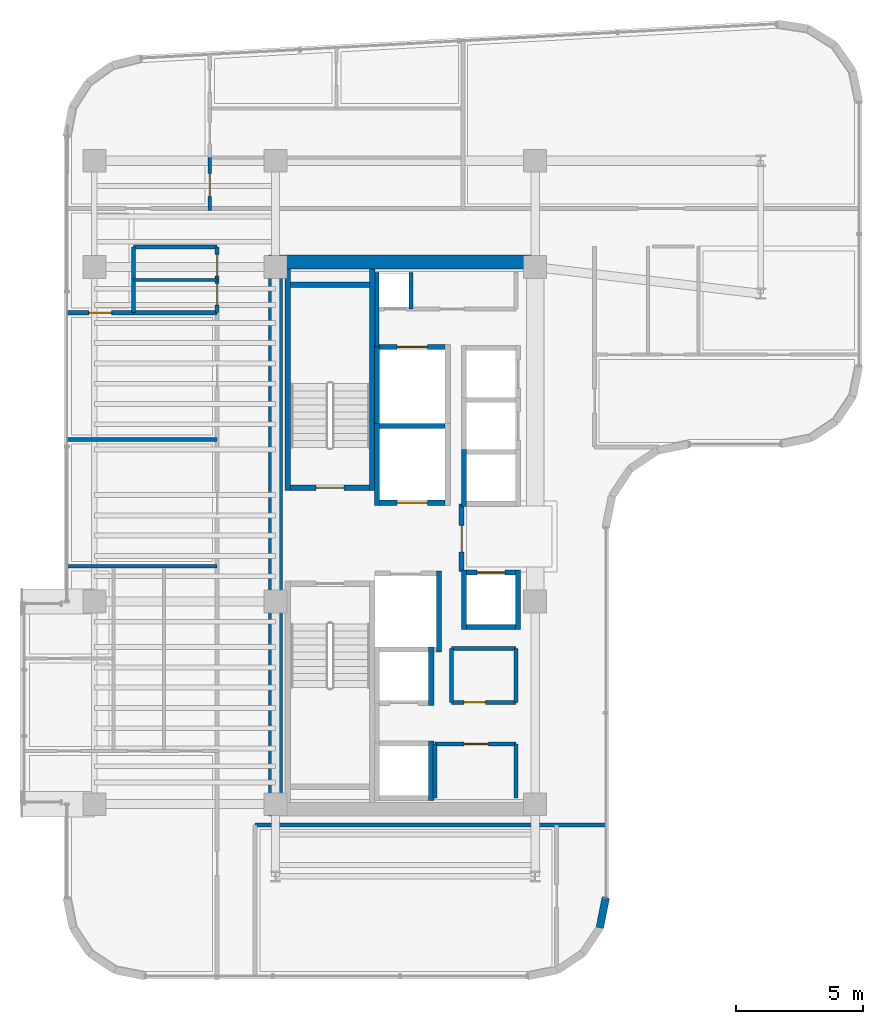
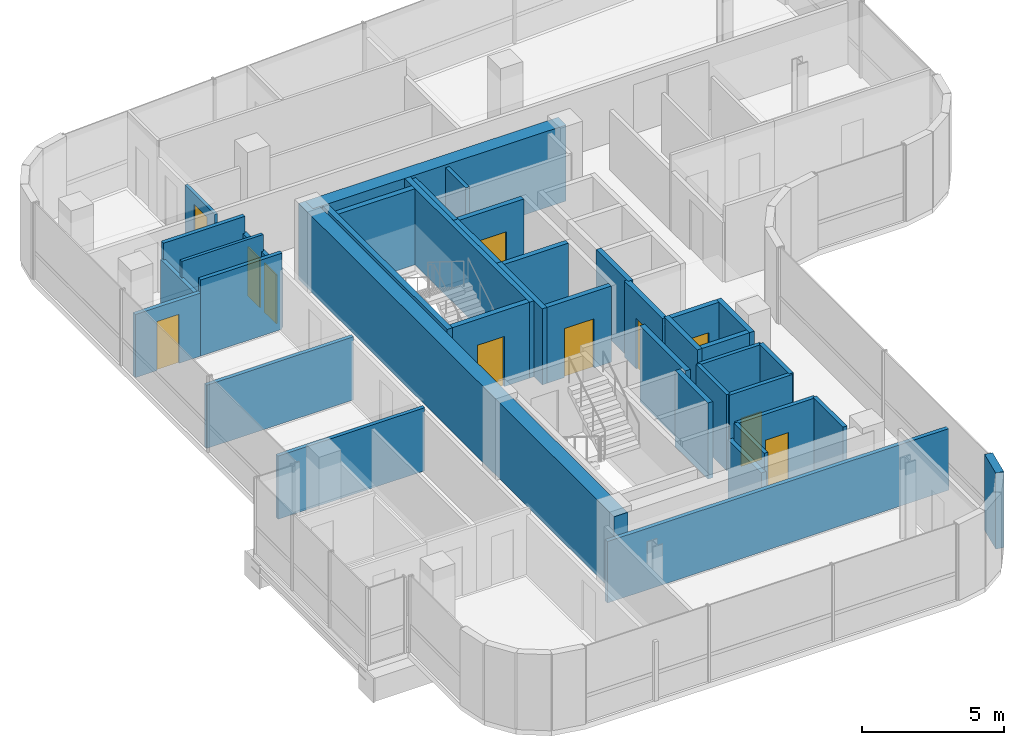
# One storey, part 19 of 24: 40 walls, 11 doors, 11 openings.
"""IFC4 building model written with IfcOpenShell, lengths in metres."""

from ifc_helpers import new_model, si_unit, direction, frame, frame_2d, origin, place, context, subcontext, project, spatial, rectangle, extrude, material, layer, layer_set, type_object, element, fill, save


model = new_model("IFC4")

# Units and contexts
model_context = context("Model", 3, precision=1e-05, world=origin(), true_north=direction((0.0, 1.0)))
body_context = subcontext(model_context, "Body", "Model", "MODEL_VIEW")
ifc_project = project(units=[si_unit("LENGTHUNIT", "METRE"), si_unit("AREAUNIT", "SQUARE_METRE"), si_unit("VOLUMEUNIT", "CUBIC_METRE"), si_unit("PLANEANGLEUNIT", "RADIAN"), si_unit("MASSUNIT", "GRAM", prefix="KILO")], contexts=[model_context])

# Site, building, storey
site_placement = place(None, origin())
site = spatial("IfcSite", under=ifc_project, at=site_placement, CompositionType="ELEMENT")
building_placement = place(site_placement, origin())
building = spatial("IfcBuilding", under=site, at=building_placement, Name="Valdorenza Pilgrim Sanctuary Tower", CompositionType="ELEMENT")
storey_placement = place(building_placement, frame((0.0, 0.0, 205.5)))
storey = spatial("IfcBuildingStorey", under=building, at=storey_placement, Name="L52", CompositionType="ELEMENT", Elevation=205.5)

# Walls
ifc_material_1 = material(Name="Acoustic twin-stud gypsum partition", Category="gypsum")
ifc_layer_1 = layer(ifc_material_1, 0.159912109375, Name="Acoustic twin-stud gypsum partition")
ifc_layer_set_1 = layer_set([ifc_layer_1], Name="Acoustic twin-stud gypsum partition")
wall_type_1 = type_object("IfcWallType", Name="WAL-COR-160", PredefinedType="PARTITIONING", material=ifc_layer_set_1)
wall_1_placement = place(storey_placement, frame((-18.64990234375, 7.449951171875, 0.0), z_axis=(0.0, 0.0, 1.0), x_axis=(0.0, 1.0, 0.0)))
element("IfcWall", 1, at=wall_1_placement, inside=storey, type_object=wall_type_1, Name="L52 Core A North Service West Wall", PredefinedType="PARTITIONING", context=body_context, shape_type="SweptSolid", body=[
    extrude(rectangle(XDim=2.929931640625, YDim=0.159912109375, at=frame_2d((1.46484375, 0.0))), origin(), (0.0, 0.0, 1.0), 3.260009765625),
])
wall_2_placement = place(storey_placement, frame((-17.300048828125, 8.949951171875, 0.0), z_axis=(0.0, 0.0, 1.0), x_axis=(0.0, 1.0, 0.0)))
element("IfcWall", 2, at=wall_2_placement, inside=storey, type_object=wall_type_1, Name="L52 Core Electrical Riser Wall", PredefinedType="PARTITIONING", context=body_context, shape_type="SweptSolid", body=[
    extrude(rectangle(XDim=1.429931640625, YDim=0.159912109375, at=frame_2d((0.71484375, 0.0))), origin(), (0.0, 0.0, 1.0), 3.260009765625),
])

# Wall, opening, door
wall_3_placement = place(storey_placement, frame((-16.35009765625, -8.219970703125, 0.0), z_axis=(0.0, 0.0, 1.0), x_axis=(1.0, 0.0, 0.0)))
wall_3 = element("IfcWall", 3, at=wall_3_placement, inside=storey, type_object=wall_type_1, Name="L52 Freed Shaft 1 North Wall", PredefinedType="PARTITIONING", context=body_context, shape_type="SweptSolid", body=[
    extrude(rectangle(XDim=3.2001953125, YDim=0.159912109375, at=frame_2d((1.60009765625, 0.0))), origin(), (0.0, 0.0, 1.0), 3.260009765625),
])
opening_1_placement = place(wall_3_placement, frame((1.14990234375, 0.0, 0.0)))
opening_1 = element("IfcOpeningElement", 4, at=opening_1_placement, cuts=wall_3, Name="Opening DR-UN1", PredefinedType="OPENING", context=body_context, shape_type="SweptSolid", body=[
    extrude(rectangle(XDim=0.949951171875, YDim=2.14990234375, at=frame_2d((0.47509765625, 1.074951171875))), frame((0.0, 0.0947265625, 0.0), z_axis=(0.0, -1.0, 0.0), x_axis=(1.0, 0.0, 0.0)), (0.0, 0.0, 1.0), 0.189697265625),
])
ifc_material_2 = material(Name="Solid-core European oak timber", Category="wood")
door_type_1 = type_object("IfcDoorType", Name="DR-UNIT-950", OperationType="NOTDEFINED", PredefinedType="DOOR", material=ifc_material_2)
door_1_placement = place(opening_1_placement, origin())
door_1 = element("IfcDoor", 5, at=door_1_placement, inside=storey, type_object=door_type_1, Name="L52 Back-of-House Linen Store Door", OperationType="SINGLE_SWING_LEFT", OverallHeight=2.14990234375, OverallWidth=0.949951171875, PredefinedType="DOOR", context=body_context, shape_type="SweptSolid", body=[
    extrude(rectangle(XDim=0.949951171875, YDim=2.14990234375, at=frame_2d((0.47509765625, 1.074951171875))), frame((0.0, 0.02490234375, 0.0), z_axis=(0.0, -1.0, 0.0), x_axis=(1.0, 0.0, 0.0)), (0.0, 0.0, 1.0), 0.050048828125),
])
fill(opening_1, door_1)

# Wall
wall_4_placement = place(storey_placement, frame((-13.14990234375, -10.35009765625, 0.0), z_axis=(0.0, 0.0, 1.0), x_axis=(0.0, 1.0, 0.0)))
element("IfcWall", 6, at=wall_4_placement, inside=storey, type_object=wall_type_1, Name="L52 Freed Shaft 1 East Wall", PredefinedType="PARTITIONING", context=body_context, shape_type="SweptSolid", body=[
    extrude(rectangle(XDim=2.130126953125, YDim=0.159912109375, at=frame_2d((1.06494140625, 0.0))), origin(), (0.0, 0.0, 1.0), 3.260009765625),
])

# Wall, opening, door
wall_5_placement = place(storey_placement, frame((-15.699951171875, -6.580078125, 0.0), z_axis=(0.0, 0.0, 1.0), x_axis=(1.0, 0.0, 0.0)))
wall_5 = element("IfcWall", 7, at=wall_5_placement, inside=storey, type_object=wall_type_1, Name="L52 Freed Shaft 2 South Wall", PredefinedType="PARTITIONING", context=body_context, shape_type="SweptSolid", body=[
    extrude(rectangle(XDim=2.550048828125, YDim=0.159912109375, at=frame_2d((1.27490234375, 0.0))), origin(), (0.0, 0.0, 1.0), 3.260009765625),
])
opening_2_placement = place(wall_5_placement, frame((0.5, 0.0, 0.0)))
opening_2 = element("IfcOpeningElement", 8, at=opening_2_placement, cuts=wall_5, Name="Opening DR-RS1", PredefinedType="OPENING", context=body_context, shape_type="SweptSolid", body=[
    extrude(rectangle(XDim=0.85009765625, YDim=2.050048828125, at=frame_2d((0.425048828125, 1.02490234375))), frame((0.0, 0.0947265625, 0.0), z_axis=(0.0, -1.0, 0.0), x_axis=(1.0, 0.0, 0.0)), (0.0, 0.0, 1.0), 0.189697265625),
])
ifc_material_3 = material(Name="Painted galvanized steel", Category="steel")
door_type_2 = type_object("IfcDoorType", Name="DR-RSR-850", OperationType="NOTDEFINED", PredefinedType="DOOR", material=ifc_material_3)
door_2_placement = place(opening_2_placement, origin())
door_2 = element("IfcDoor", 9, at=door_2_placement, inside=storey, type_object=door_type_2, Name="L52 Guest Tea Pantry Door", OperationType="SINGLE_SWING_RIGHT", OverallHeight=2.050048828125, OverallWidth=0.85009765625, PredefinedType="DOOR", context=body_context, shape_type="SweptSolid", body=[
    extrude(rectangle(XDim=0.85009765625, YDim=2.050048828125, at=frame_2d((0.425048828125, 1.02490234375))), frame((0.0, 0.02490234375, 0.0), z_axis=(0.0, -1.0, 0.0), x_axis=(1.0, 0.0, 0.0)), (0.0, 0.0, 1.0), 0.050048828125),
])
fill(opening_2, door_2)

# Walls
wall_6_placement = place(storey_placement, frame((-13.14990234375, -6.580078125, 0.0), z_axis=(0.0, 0.0, 1.0), x_axis=(0.0, 1.0, 0.0)))
element("IfcWall", 10, at=wall_6_placement, inside=storey, type_object=wall_type_1, Name="L52 Freed Shaft 2 East Wall", PredefinedType="PARTITIONING", context=body_context, shape_type="SweptSolid", body=[
    extrude(rectangle(XDim=2.130126953125, YDim=0.159912109375, at=frame_2d((1.06494140625, 0.0))), origin(), (0.0, 0.0, 1.0), 3.260009765625),
])
wall_7_placement = place(storey_placement, frame((-28.25, 8.800048828125, 0.0), z_axis=(0.0, 0.0, 1.0), x_axis=(0.0, 1.0, 0.0)))
element("IfcWall", 11, at=wall_7_placement, inside=storey, type_object=wall_type_1, Name="L52 Washroom West Wall", PredefinedType="PARTITIONING", context=body_context, shape_type="SweptSolid", body=[
    extrude(rectangle(XDim=2.599853515625, YDim=0.159912109375, at=frame_2d((1.2998046875, 0.0))), origin(), (0.0, 0.0, 1.0), 2.5439453125),
])

# Wall, openings, doors
wall_8_placement = place(storey_placement, frame((-24.949951171875, 8.800048828125, 0.0), z_axis=(0.0, 0.0, 1.0), x_axis=(0.0, 1.0, 0.0)))
wall_8 = element("IfcWall", 12, at=wall_8_placement, inside=storey, type_object=wall_type_1, Name="L52 Washroom East Wall", PredefinedType="PARTITIONING", context=body_context, shape_type="SweptSolid", body=[
    extrude(rectangle(XDim=2.599853515625, YDim=0.159912109375, at=frame_2d((1.2998046875, 0.0))), origin(), (0.0, 0.0, 1.0), 2.5439453125),
])
opening_3_placement = place(wall_8_placement, frame((0.300048828125, 0.0, 0.0)))
opening_3 = element("IfcOpeningElement", 13, at=opening_3_placement, cuts=wall_8, Name="Opening DR-WC1", PredefinedType="OPENING", context=body_context, shape_type="SweptSolid", body=[
    extrude(rectangle(XDim=0.85009765625, YDim=2.10009765625, at=frame_2d((0.425048828125, 1.050048828125))), frame((0.0, 0.0947265625, 0.0), z_axis=(0.0, -1.0, 0.0), x_axis=(1.0, 0.0, 0.0)), (0.0, 0.0, 1.0), 0.189697265625),
])
opening_4_placement = place(wall_8_placement, frame((1.449951171875, 0.0, 0.0)))
opening_4 = element("IfcOpeningElement", 14, at=opening_4_placement, cuts=wall_8, Name="Opening DR-WC1", PredefinedType="OPENING", context=body_context, shape_type="SweptSolid", body=[
    extrude(rectangle(XDim=0.85009765625, YDim=2.10009765625, at=frame_2d((0.425048828125, 1.050048828125))), frame((0.0, 0.0947265625, 0.0), z_axis=(0.0, -1.0, 0.0), x_axis=(1.0, 0.0, 0.0)), (0.0, 0.0, 1.0), 0.189697265625),
])
ifc_material_4 = material(Name="Moisture-resistant lacquered timber", Category="wood")
door_type_3 = type_object("IfcDoorType", Name="DR-BATH-850", OperationType="NOTDEFINED", PredefinedType="DOOR", material=ifc_material_4)
door_3_placement = place(opening_3_placement, origin())
door_3 = element("IfcDoor", 15, at=door_3_placement, inside=storey, type_object=door_type_3, Name="L52 Accessible Washroom Door", OperationType="SINGLE_SWING_LEFT", OverallHeight=2.10009765625, OverallWidth=0.85009765625, PredefinedType="DOOR", context=body_context, shape_type="SweptSolid", body=[
    extrude(rectangle(XDim=0.85009765625, YDim=2.10009765625, at=frame_2d((0.425048828125, 1.050048828125))), frame((0.0, 0.02490234375, 0.0), z_axis=(0.0, -1.0, 0.0), x_axis=(1.0, 0.0, 0.0)), (0.0, 0.0, 1.0), 0.050048828125),
])
fill(opening_3, door_3)
door_4_placement = place(opening_4_placement, origin())
door_4 = element("IfcDoor", 16, at=door_4_placement, inside=storey, type_object=door_type_3, Name="L52 Public Washroom Door", OperationType="SINGLE_SWING_RIGHT", OverallHeight=2.10009765625, OverallWidth=0.85009765625, PredefinedType="DOOR", context=body_context, shape_type="SweptSolid", body=[
    extrude(rectangle(XDim=0.85009765625, YDim=2.10009765625, at=frame_2d((0.425048828125, 1.050048828125))), frame((0.0, 0.02490234375, 0.0), z_axis=(0.0, -1.0, 0.0), x_axis=(1.0, 0.0, 0.0)), (0.0, 0.0, 1.0), 0.050048828125),
])
fill(opening_4, door_4)

# Walls
for number, where, z_axis, x_axis, name in (
    (17, (-28.25, 8.800048828125, 0.0), (0.0, 0.0, 1.0), (1.0, 0.0, 0.0), "L52 Washroom South Wall"),
    (18, (-28.25, 11.39990234375, 0.0), (0.0, 0.0, 1.0), (1.0, 0.0, 0.0), "L52 Washroom North Wall"),
):
    element("IfcWall", number, at=place(storey_placement, frame(where, z_axis=z_axis, x_axis=x_axis)), inside=storey, type_object=wall_type_1, Name=name, PredefinedType="PARTITIONING", context=body_context, shape_type="SweptSolid", body=[
        extrude(rectangle(XDim=3.300048828125, YDim=0.159912109375, at=frame_2d((1.64990234375, 0.0))), origin(), (0.0, 0.0, 1.0), 3.260009765625),
    ])
wall_9_placement = place(storey_placement, frame((-23.449951171875, -11.419921875, 0.0), z_axis=(0.0, 0.0, 1.0), x_axis=(1.0, 0.0, 0.0)))
element("IfcWall", 19, at=wall_9_placement, inside=storey, type_object=wall_type_1, Name="L52 South-East Pocket North Wall", PredefinedType="PARTITIONING", context=body_context, shape_type="SweptSolid", body=[
    extrude(rectangle(XDim=13.83984375, YDim=0.159912109375, at=frame_2d((6.919921875, 0.0))), origin(), (0.0, 0.0, 1.0), 2.634033203125),
])

# Wall, opening, door
wall_10_placement = place(storey_placement, frame((-30.889892578125, 8.800048828125, 0.0), z_axis=(0.0, 0.0, 1.0), x_axis=(1.0, 0.0, 0.0)))
wall_10 = element("IfcWall", 20, at=wall_10_placement, inside=storey, type_object=wall_type_1, Name="L52 West North Alcove Wall", PredefinedType="PARTITIONING", context=body_context, shape_type="SweptSolid", body=[
    extrude(rectangle(XDim=2.639892578125, YDim=0.159912109375, at=frame_2d((1.31982421875, 0.0))), origin(), (0.0, 0.0, 1.0), 2.7060546875),
])
opening_5_placement = place(wall_10_placement, frame((0.8701171875, 0.0, 0.0)))
opening_5 = element("IfcOpeningElement", 21, at=opening_5_placement, cuts=wall_10, Name="Opening DR-RM1", PredefinedType="OPENING", context=body_context, shape_type="SweptSolid", body=[
    extrude(rectangle(XDim=0.89990234375, YDim=2.10009765625, at=frame_2d((0.449951171875, 1.050048828125))), frame((0.0, 0.0947265625, 0.0), z_axis=(0.0, -1.0, 0.0), x_axis=(1.0, 0.0, 0.0)), (0.0, 0.0, 1.0), 0.189697265625),
])
door_type_4 = type_object("IfcDoorType", Name="DR-ROOM-900", OperationType="NOTDEFINED", PredefinedType="DOOR", material=ifc_material_2)
door_5_placement = place(opening_5_placement, frame((0.89990234375, 0.0, 0.0), z_axis=(0.0, 0.0, 1.0), x_axis=(-1.0, 0.0, 0.0)))
door_5 = element("IfcDoor", 22, at=door_5_placement, inside=storey, type_object=door_type_4, Name="L52 Pilgrim Scholar Office L52-WN Door", OperationType="SINGLE_SWING_LEFT", OverallHeight=2.10009765625, OverallWidth=0.89990234375, PredefinedType="DOOR", context=body_context, shape_type="SweptSolid", body=[
    extrude(rectangle(XDim=0.89990234375, YDim=2.10009765625, at=frame_2d((0.449951171875, 1.050048828125))), frame((0.0, 0.02490234375, 0.0), z_axis=(0.0, -1.0, 0.0), x_axis=(1.0, 0.0, 0.0)), (0.0, 0.0, 1.0), 0.050048828125),
])
fill(opening_5, door_5)

# Walls
ifc_material_5 = material(Name="Concrete C50/60", Category="concrete")
ifc_layer_2 = layer(ifc_material_5, 0.550048828125, Name="Concrete C50/60")
ifc_layer_set_2 = layer_set([ifc_layer_2], Name="Concrete C50/60")
wall_type_2 = type_object("IfcWallType", Name="WAL-COR-550", PredefinedType="SHEAR", material=ifc_layer_set_2)
wall_11_placement = place(storey_placement, frame((-22.64990234375, -11.074951171875, 0.0), z_axis=(0.0, 0.0, 1.0), x_axis=(0.0, 1.0, 0.0)))
element("IfcWall", 23, at=wall_11_placement, inside=storey, type_object=wall_type_2, Name="L52 Split Core A Shear Wall W", PredefinedType="SHEAR", context=body_context, shape_type="SweptSolid", body=[
    extrude(rectangle(XDim=22.14990234375, YDim=0.550048828125, at=frame_2d((11.074951171875, 0.0))), origin(), (0.0, 0.0, 1.0), 3.260009765625),
])
wall_12_placement = place(storey_placement, frame((-22.64990234375, 10.800048828125, 0.0), z_axis=(0.0, 0.0, 1.0), x_axis=(1.0, 0.0, 0.0)))
element("IfcWall", 24, at=wall_12_placement, inside=storey, type_object=wall_type_2, Name="L52 Split Core A Shear Wall N", PredefinedType="SHEAR", context=body_context, shape_type="SweptSolid", body=[
    extrude(rectangle(XDim=10.25, YDim=0.550048828125, at=frame_2d((5.125, 0.0))), origin(), (0.0, 0.0, 1.0), 3.260009765625),
])
ifc_material_6 = material(Name="Honed travertine limestone", Category="masonry")
ifc_layer_3 = layer(ifc_material_6, 0.300048828125, Name="Honed travertine limestone")
ifc_layer_set_3 = layer_set([ifc_layer_3], Name="Honed travertine limestone")
wall_type_3 = type_object("IfcWallType", Name="WAL-EXT-300", PredefinedType="SOLIDWALL", material=ifc_layer_set_3)
wall_13_placement = place(storey_placement, frame((-9.610107421875, -14.289306640625, 0.0), z_axis=(0.0, 0.0, 1.0), x_axis=(-0.194996050505, -0.980804027463, 0.0)))
element("IfcWall", 25, at=wall_13_placement, inside=storey, type_object=wall_type_3, Name="L52 Rounded Wind-Corner Stone Pier 22", PredefinedType="SOLIDWALL", context=body_context, shape_type="SweptSolid", body=[
    extrude(rectangle(XDim=1.2158203125, YDim=0.300048828125, at=frame_2d((0.60791015625, 0.0))), origin(), (0.0, 0.0, 1.0), 3.260009765625),
])

# Wall, opening, door
ifc_material_7 = material(Name="Gypsum shaftwall partition", Category="gypsum")
ifc_layer_4 = layer(ifc_material_7, 0.199951171875, Name="Gypsum shaftwall partition")
ifc_layer_set_4 = layer_set([ifc_layer_4], Name="Gypsum shaftwall partition")
wall_type_4 = type_object("IfcWallType", Name="WAL-FFL-200", PredefinedType="PARTITIONING", material=ifc_layer_set_4)
wall_14_placement = place(storey_placement, frame((-15.300048828125, -1.419921875, 0.0), z_axis=(0.0, 0.0, 1.0), x_axis=(0.0, 1.0, 0.0)))
wall_14 = element("IfcWall", 26, at=wall_14_placement, inside=storey, type_object=wall_type_4, Name="L52 Core A Firefighting Lobby East Wall", PredefinedType="PARTITIONING", context=body_context, shape_type="SweptSolid", body=[
    extrude(rectangle(XDim=2.669921875, YDim=0.199951171875, at=frame_2d((1.3349609375, 0.0))), origin(), (0.0, 0.0, 1.0), 3.260009765625),
])
opening_6_placement = place(wall_14_placement, frame((0.780029296875, 0.0, 0.0)))
opening_6 = element("IfcOpeningElement", 27, at=opening_6_placement, cuts=wall_14, Name="Opening DR-FL1", PredefinedType="OPENING", context=body_context, shape_type="SweptSolid", body=[
    extrude(rectangle(XDim=1.050048828125, YDim=2.14990234375, at=frame_2d((0.52490234375, 1.074951171875))), frame((0.0, 0.11474609375, 0.0), z_axis=(0.0, -1.0, 0.0), x_axis=(1.0, 0.0, 0.0)), (0.0, 0.0, 1.0), 0.229736328125),
])
door_type_5 = type_object("IfcDoorType", Name="DR-FFL-1050", OperationType="NOTDEFINED", PredefinedType="DOOR", material=ifc_material_3)
door_6_placement = place(opening_6_placement, origin())
door_6 = element("IfcDoor", 28, at=door_6_placement, inside=storey, type_object=door_type_5, Name="L52 Core A Firefighting Lobby Door", OperationType="SINGLE_SWING_RIGHT", OverallHeight=2.14990234375, OverallWidth=1.050048828125, PredefinedType="DOOR", context=body_context, shape_type="SweptSolid", body=[
    extrude(rectangle(XDim=1.050048828125, YDim=2.14990234375, at=frame_2d((0.52490234375, 1.074951171875))), frame((0.0, 0.02490234375, 0.0), z_axis=(0.0, -1.0, 0.0), x_axis=(1.0, 0.0, 0.0)), (0.0, 0.0, 1.0), 0.050048828125),
])
fill(opening_6, door_6)

# Wall
ifc_material_8 = material(Name="Moisture-resistant gypsum partition", Category="gypsum")
ifc_layer_5 = layer(ifc_material_8, 0.1201171875, Name="Moisture-resistant gypsum partition")
ifc_layer_set_5 = layer_set([ifc_layer_5], Name="Moisture-resistant gypsum partition")
wall_type_5 = type_object("IfcWallType", Name="WAL-INT-120", PredefinedType="PARTITIONING", material=ifc_layer_set_5)
wall_15_placement = place(storey_placement, frame((-28.25, 10.10009765625, 0.0), z_axis=(0.0, 0.0, 1.0), x_axis=(1.0, 0.0, 0.0)))
element("IfcWall", 29, at=wall_15_placement, inside=storey, type_object=wall_type_5, Name="L52 Washroom Divider Wall", PredefinedType="PARTITIONING", context=body_context, shape_type="SweptSolid", body=[
    extrude(rectangle(XDim=3.300048828125, YDim=0.1201171875, at=frame_2d((1.64990234375, 0.0))), origin(), (0.0, 0.0, 1.0), 3.260009765625),
])

# Wall, opening, door
wall_16_placement = place(storey_placement, frame((-25.24560546875, 12.840087890625, 0.0), z_axis=(0.0, 0.0, 1.0), x_axis=(0.0, 1.0, 0.0)))
wall_16 = element("IfcWall", 30, at=wall_16_placement, inside=storey, type_object=wall_type_5, Name="L52 North Grand Residence L52-N1 Kitchen Door Wall", PredefinedType="PARTITIONING", context=body_context, shape_type="SweptSolid", body=[
    extrude(rectangle(XDim=2.079833984375, YDim=0.1201171875, at=frame_2d((1.0400390625, 0.0))), origin(), (0.0, 0.0, 1.0), 2.5439453125),
])
opening_7_placement = place(wall_16_placement, frame((0.550048828125, 0.0, 0.0)))
opening_7 = element("IfcOpeningElement", 31, at=opening_7_placement, cuts=wall_16, Name="Opening DR-RM1", PredefinedType="OPENING", context=body_context, shape_type="SweptSolid", body=[
    extrude(rectangle(XDim=0.89990234375, YDim=2.10009765625, at=frame_2d((0.449951171875, 1.050048828125))), frame((0.0, 0.074951171875, 0.0), z_axis=(0.0, -1.0, 0.0), x_axis=(1.0, 0.0, 0.0)), (0.0, 0.0, 1.0), 0.14990234375),
])
door_7_placement = place(opening_7_placement, origin())
door_7 = element("IfcDoor", 32, at=door_7_placement, inside=storey, type_object=door_type_4, Name="L52 North Grand Residence L52-N1 Kitchen Door", OperationType="SINGLE_SWING_RIGHT", OverallHeight=2.10009765625, OverallWidth=0.89990234375, PredefinedType="DOOR", context=body_context, shape_type="SweptSolid", body=[
    extrude(rectangle(XDim=0.89990234375, YDim=2.10009765625, at=frame_2d((0.449951171875, 1.050048828125))), frame((0.0, 0.02490234375, 0.0), z_axis=(0.0, -1.0, 0.0), x_axis=(1.0, 0.0, 0.0)), (0.0, 0.0, 1.0), 0.050048828125),
])
fill(opening_7, door_7)

# Wall
ifc_material_9 = material(Name="Autoclaved aerated concrete blockwork", Category="masonry")
ifc_layer_6 = layer(ifc_material_9, 0.199951171875, Name="Autoclaved aerated concrete blockwork")
ifc_layer_set_6 = layer_set([ifc_layer_6], Name="Autoclaved aerated concrete blockwork")
wall_type_6 = type_object("IfcWallType", Name="WAL-SHF-200", PredefinedType="MOVABLE", material=ifc_layer_set_6)
wall_17_placement = place(storey_placement, frame((-18.64990234375, 1.199951171875, 0.0), z_axis=(0.0, 0.0, 1.0), x_axis=(0.0, 1.0, 0.0)))
element("IfcWall", 33, at=wall_17_placement, inside=storey, type_object=wall_type_6, Name="L52 Lift FFL-01 Hoistway Wall West", PredefinedType="MOVABLE", context=body_context, shape_type="SweptSolid", body=[
    extrude(rectangle(XDim=3.22509765625, YDim=0.199951171875, at=frame_2d((1.612548828125, 0.0))), origin(), (0.0, 0.0, 1.0), 3.260009765625),
])

# Wall, opening, door
wall_18_placement = place(storey_placement, frame((-18.550048828125, 1.300048828125, 0.0), z_axis=(0.0, 0.0, 1.0), x_axis=(1.0, 0.0, 0.0)))
wall_18 = element("IfcWall", 34, at=wall_18_placement, inside=storey, type_object=wall_type_6, Name="L52 Lift FFL-01 Hoistway Wall South", PredefinedType="MOVABLE", context=body_context, shape_type="SweptSolid", body=[
    extrude(rectangle(XDim=2.60009765625, YDim=0.199951171875, at=frame_2d((1.300048828125, 0.0))), origin(), (0.0, 0.0, 1.0), 3.260009765625),
])
opening_8_placement = place(wall_18_placement, frame((0.699951171875, 0.0, 0.0)))
opening_8 = element("IfcOpeningElement", 35, at=opening_8_placement, cuts=wall_18, Name="Opening LD-02", PredefinedType="OPENING", context=body_context, shape_type="SweptSolid", body=[
    extrude(rectangle(XDim=1.199951171875, YDim=2.10009765625, at=frame_2d((0.60009765625, 1.050048828125))), frame((0.0, 0.11474609375, 0.0), z_axis=(0.0, -1.0, 0.0), x_axis=(1.0, 0.0, 0.0)), (0.0, 0.0, 1.0), 0.229736328125),
])
ifc_material_10 = material(Name="Brushed stainless steel Grade 316", Category="steel")
door_type_6 = type_object("IfcDoorType", Name="DR-LFT-1200", OperationType="DOUBLE_DOOR_SLIDING", PredefinedType="DOOR", material=ifc_material_10)
door_8_placement = place(opening_8_placement, origin())
door_8 = element("IfcDoor", 36, at=door_8_placement, inside=storey, type_object=door_type_6, Name="L52 Lift FFL-01 Sliding Landing Door", OperationType="DOUBLE_DOOR_SLIDING", OverallHeight=2.10009765625, OverallWidth=1.199951171875, PredefinedType="DOOR", context=body_context, shape_type="SweptSolid", body=[
    extrude(rectangle(XDim=1.199951171875, YDim=2.10009765625, at=frame_2d((0.60009765625, 1.050048828125))), frame((0.0, 0.02490234375, 0.0), z_axis=(0.0, -1.0, 0.0), x_axis=(1.0, 0.0, 0.0)), (0.0, 0.0, 1.0), 0.050048828125),
])
fill(opening_8, door_8)

# Walls
wall_19_placement = place(storey_placement, frame((-18.550048828125, 4.324951171875, 0.0), z_axis=(0.0, 0.0, 1.0), x_axis=(1.0, 0.0, 0.0)))
element("IfcWall", 37, at=wall_19_placement, inside=storey, type_object=wall_type_6, Name="L52 Lift FFL-01 Hoistway Wall North", PredefinedType="MOVABLE", context=body_context, shape_type="SweptSolid", body=[
    extrude(rectangle(XDim=2.60009765625, YDim=0.199951171875, at=frame_2d((1.300048828125, 0.0))), origin(), (0.0, 0.0, 1.0), 3.260009765625),
])
wall_20_placement = place(storey_placement, frame((-16.199951171875, -4.60009765625, 0.0), z_axis=(0.0, 0.0, 1.0), x_axis=(0.0, 1.0, 0.0)))
element("IfcWall", 38, at=wall_20_placement, inside=storey, type_object=wall_type_6, Name="L52 Lift FFL-02 Hoistway Wall East", PredefinedType="MOVABLE", context=body_context, shape_type="SweptSolid", body=[
    extrude(rectangle(XDim=3.2001953125, YDim=0.199951171875, at=frame_2d((1.60009765625, 0.0))), origin(), (0.0, 0.0, 1.0), 3.260009765625),
])
wall_21_placement = place(storey_placement, frame((-18.64990234375, 4.22509765625, 0.0), z_axis=(0.0, 0.0, 1.0), x_axis=(0.0, 1.0, 0.0)))
element("IfcWall", 39, at=wall_21_placement, inside=storey, type_object=wall_type_6, Name="L52 Lift SVL-01 Hoistway Wall West", PredefinedType="MOVABLE", context=body_context, shape_type="SweptSolid", body=[
    extrude(rectangle(XDim=3.324951171875, YDim=0.199951171875, at=frame_2d((1.66259765625, 0.0))), origin(), (0.0, 0.0, 1.0), 3.260009765625),
])

# Wall, opening, door
wall_22_placement = place(storey_placement, frame((-18.550048828125, 7.449951171875, 0.0), z_axis=(0.0, 0.0, 1.0), x_axis=(1.0, 0.0, 0.0)))
wall_22 = element("IfcWall", 40, at=wall_22_placement, inside=storey, type_object=wall_type_6, Name="L52 Lift SVL-01 Hoistway Wall North", PredefinedType="MOVABLE", context=body_context, shape_type="SweptSolid", body=[
    extrude(rectangle(XDim=2.60009765625, YDim=0.199951171875, at=frame_2d((1.300048828125, 0.0))), origin(), (0.0, 0.0, 1.0), 3.260009765625),
])
opening_9_placement = place(wall_22_placement, frame((0.699951171875, 0.0, 0.0)))
opening_9 = element("IfcOpeningElement", 41, at=opening_9_placement, cuts=wall_22, Name="Opening LD-02", PredefinedType="OPENING", context=body_context, shape_type="SweptSolid", body=[
    extrude(rectangle(XDim=1.199951171875, YDim=2.10009765625, at=frame_2d((0.60009765625, 1.050048828125))), frame((0.0, 0.11474609375, 0.0), z_axis=(0.0, -1.0, 0.0), x_axis=(1.0, 0.0, 0.0)), (0.0, 0.0, 1.0), 0.229736328125),
])
door_9_placement = place(opening_9_placement, origin())
door_9 = element("IfcDoor", 42, at=door_9_placement, inside=storey, type_object=door_type_6, Name="L52 Lift SVL-01 Sliding Landing Door", OperationType="DOUBLE_DOOR_SLIDING", OverallHeight=2.10009765625, OverallWidth=1.199951171875, PredefinedType="DOOR", context=body_context, shape_type="SweptSolid", body=[
    extrude(rectangle(XDim=1.199951171875, YDim=2.10009765625, at=frame_2d((0.60009765625, 1.050048828125))), frame((0.0, 0.02490234375, 0.0), z_axis=(0.0, -1.0, 0.0), x_axis=(1.0, 0.0, 0.0)), (0.0, 0.0, 1.0), 0.050048828125),
])
fill(opening_9, door_9)

# Walls
wall_23_placement = place(storey_placement, frame((-16.5, -10.449951171875, 0.0), z_axis=(0.0, 0.0, 1.0), x_axis=(0.0, 1.0, 0.0)))
element("IfcWall", 43, at=wall_23_placement, inside=storey, type_object=wall_type_6, Name="L52 Lift PL-05 Hoistway Wall East", PredefinedType="MOVABLE", context=body_context, shape_type="SweptSolid", body=[
    extrude(rectangle(XDim=2.349853515625, YDim=0.199951171875, at=frame_2d((1.1748046875, 0.0))), origin(), (0.0, 0.0, 1.0), 2.5439453125),
])
wall_24_placement = place(storey_placement, frame((-15.199951171875, 1.14990234375, 0.0), z_axis=(0.0, 0.0, 1.0), x_axis=(0.0, 1.0, 0.0)))
element("IfcWall", 44, at=wall_24_placement, inside=storey, type_object=wall_type_6, Name="L52 Lift PL-06 Hoistway Wall West", PredefinedType="MOVABLE", context=body_context, shape_type="SweptSolid", body=[
    extrude(rectangle(XDim=2.25, YDim=0.199951171875, at=frame_2d((1.125, 0.0))), origin(), (0.0, 0.0, 1.0), 3.260009765625),
])
wall_25_placement = place(storey_placement, frame((-16.5, -6.699951171875, 0.0), z_axis=(0.0, 0.0, 1.0), x_axis=(0.0, 1.0, 0.0)))
element("IfcWall", 45, at=wall_25_placement, inside=storey, type_object=wall_type_6, Name="L52 Lift PL-11 Hoistway Wall East", PredefinedType="MOVABLE", context=body_context, shape_type="SweptSolid", body=[
    extrude(rectangle(XDim=2.300048828125, YDim=0.199951171875, at=frame_2d((1.14990234375, 0.0))), origin(), (0.0, 0.0, 1.0), 3.260009765625),
])
for number, where, z_axis, x_axis, name in (
    (46, (-15.199951171875, -3.699951171875, 0.0), (0.0, 0.0, 1.0), (0.0, 1.0, 0.0), "L52 Lift PL-12 Hoistway Wall West"),
    (47, (-13.080078125, -3.699951171875, 0.0), (0.0, 0.0, 1.0), (0.0, 1.0, 0.0), "L52 Lift PL-12 Hoistway Wall East"),
):
    element("IfcWall", number, at=place(storey_placement, frame(where, z_axis=z_axis, x_axis=x_axis)), inside=storey, type_object=wall_type_6, Name=name, PredefinedType="MOVABLE", context=body_context, shape_type="SweptSolid", body=[
        extrude(rectangle(XDim=2.349853515625, YDim=0.199951171875, at=frame_2d((1.1748046875, 0.0))), origin(), (0.0, 0.0, 1.0), 3.260009765625),
    ])
wall_26_placement = place(storey_placement, frame((-15.10009765625, -3.60009765625, 0.0), z_axis=(0.0, 0.0, 1.0), x_axis=(1.0, 0.0, 0.0)))
element("IfcWall", 48, at=wall_26_placement, inside=storey, type_object=wall_type_6, Name="L52 Lift PL-12 Hoistway Wall South", PredefinedType="MOVABLE", context=body_context, shape_type="SweptSolid", body=[
    extrude(rectangle(XDim=1.920166015625, YDim=0.199951171875, at=frame_2d((0.9599609375, 0.0))), origin(), (0.0, 0.0, 1.0), 3.260009765625),
])

# Wall, opening, door
wall_27_placement = place(storey_placement, frame((-15.10009765625, -1.449951171875, 0.0), z_axis=(0.0, 0.0, 1.0), x_axis=(1.0, 0.0, 0.0)))
wall_27 = element("IfcWall", 49, at=wall_27_placement, inside=storey, type_object=wall_type_6, Name="L52 Lift PL-12 Hoistway Wall North", PredefinedType="MOVABLE", context=body_context, shape_type="SweptSolid", body=[
    extrude(rectangle(XDim=1.920166015625, YDim=0.199951171875, at=frame_2d((0.9599609375, 0.0))), origin(), (0.0, 0.0, 1.0), 3.260009765625),
])
opening_10_placement = place(wall_27_placement, frame((0.409912109375, 0.0, 0.0)))
opening_10 = element("IfcOpeningElement", 50, at=opening_10_placement, cuts=wall_27, Name="Opening LD-01", PredefinedType="OPENING", context=body_context, shape_type="SweptSolid", body=[
    extrude(rectangle(XDim=1.10009765625, YDim=2.10009765625, at=frame_2d((0.550048828125, 1.050048828125))), frame((0.0, 0.11474609375, 0.0), z_axis=(0.0, -1.0, 0.0), x_axis=(1.0, 0.0, 0.0)), (0.0, 0.0, 1.0), 0.229736328125),
])
door_type_7 = type_object("IfcDoorType", Name="DR-LFT-1100", OperationType="DOUBLE_DOOR_SLIDING", PredefinedType="DOOR", material=ifc_material_10)
door_10_placement = place(opening_10_placement, origin())
door_10 = element("IfcDoor", 51, at=door_10_placement, inside=storey, type_object=door_type_7, Name="L52 Lift PL-12 Sliding Landing Door", OperationType="DOUBLE_DOOR_SLIDING", OverallHeight=2.10009765625, OverallWidth=1.10009765625, PredefinedType="DOOR", context=body_context, shape_type="SweptSolid", body=[
    extrude(rectangle(XDim=1.10009765625, YDim=2.10009765625, at=frame_2d((0.550048828125, 1.050048828125))), frame((0.0, 0.02490234375, 0.0), z_axis=(0.0, -1.0, 0.0), x_axis=(1.0, 0.0, 0.0)), (0.0, 0.0, 1.0), 0.050048828125),
])
fill(opening_10, door_10)

# Walls
ifc_material_11 = material(Name="Concrete C40/50", Category="concrete")
ifc_layer_7 = layer(ifc_material_11, 0.219970703125, Name="Concrete C40/50")
ifc_layer_set_7 = layer_set([ifc_layer_7], Name="Concrete C40/50")
wall_type_7 = type_object("IfcWallType", Name="WAL-STR-SHF-220", PredefinedType="SHEAR", material=ifc_layer_set_7)
for number, where, z_axis, x_axis, name in (
    (52, (-22.159912109375, 1.780029296875, 0.0), (0.0, 0.0, 1.0), (0.0, 1.0, 0.0), "L52 ST-A1 Structural Stairwell Wall W"),
    (53, (-18.830078125, 1.780029296875, 0.0), (0.0, 0.0, 1.0), (0.0, 1.0, 0.0), "L52 ST-A1 Structural Stairwell Wall E"),
):
    element("IfcWall", number, at=place(storey_placement, frame(where, z_axis=z_axis, x_axis=x_axis)), inside=storey, type_object=wall_type_7, Name=name, PredefinedType="SHEAR", context=body_context, shape_type="SweptSolid", body=[
        extrude(rectangle(XDim=8.744873046875, YDim=0.219970703125, at=frame_2d((4.37255859375, 0.0))), origin(), (0.0, 0.0, 1.0), 3.260009765625),
    ])

# Wall, opening, door
wall_28_placement = place(storey_placement, frame((-22.050048828125, 1.889892578125, 0.0), z_axis=(0.0, 0.0, 1.0), x_axis=(1.0, 0.0, 0.0)))
wall_28 = element("IfcWall", 54, at=wall_28_placement, inside=storey, type_object=wall_type_7, Name="L52 ST-A1 Structural Stairwell Wall S", PredefinedType="SHEAR", context=body_context, shape_type="SweptSolid", body=[
    extrude(rectangle(XDim=3.110107421875, YDim=0.219970703125, at=frame_2d((1.55517578125, 0.0))), origin(), (0.0, 0.0, 1.0), 3.260009765625),
])
opening_11_placement = place(wall_28_placement, frame((1.0, 0.0, 0.0)))
opening_11 = element("IfcOpeningElement", 55, at=opening_11_placement, cuts=wall_28, Name="Opening DR-ST1", PredefinedType="OPENING", context=body_context, shape_type="SweptSolid", body=[
    extrude(rectangle(XDim=1.10009765625, YDim=2.14990234375, at=frame_2d((0.550048828125, 1.074951171875))), frame((0.0, 0.125, 0.0), z_axis=(0.0, -1.0, 0.0), x_axis=(1.0, 0.0, 0.0)), (0.0, 0.0, 1.0), 0.249755859375),
])
door_type_8 = type_object("IfcDoorType", Name="DR-STAIR-1100", OperationType="NOTDEFINED", PredefinedType="DOOR", material=ifc_material_3)
door_11_placement = place(opening_11_placement, frame((1.10009765625, 0.0, 0.0), z_axis=(0.0, 0.0, 1.0), x_axis=(-1.0, 0.0, 0.0)))
door_11 = element("IfcDoor", 56, at=door_11_placement, inside=storey, type_object=door_type_8, Name="L52 Exit Stair ST-A1 Door", OperationType="SINGLE_SWING_LEFT", OverallHeight=2.14990234375, OverallWidth=1.10009765625, PredefinedType="DOOR", context=body_context, shape_type="SweptSolid", body=[
    extrude(rectangle(XDim=1.10009765625, YDim=2.14990234375, at=frame_2d((0.550048828125, 1.074951171875))), frame((0.0, 0.02490234375, 0.0), z_axis=(0.0, -1.0, 0.0), x_axis=(1.0, 0.0, 0.0)), (0.0, 0.0, 1.0), 0.050048828125),
])
fill(opening_11, door_11)

# Walls
wall_29_placement = place(storey_placement, frame((-22.050048828125, 9.909912109375, 0.0), z_axis=(0.0, 0.0, 1.0), x_axis=(1.0, 0.0, 0.0)))
element("IfcWall", 57, at=wall_29_placement, inside=storey, type_object=wall_type_7, Name="L52 ST-A1 Structural Stairwell Wall N", PredefinedType="SHEAR", context=body_context, shape_type="SweptSolid", body=[
    extrude(rectangle(XDim=3.110107421875, YDim=0.219970703125, at=frame_2d((1.55517578125, 0.0))), origin(), (0.0, 0.0, 1.0), 3.260009765625),
])
ifc_layer_8 = layer(ifc_material_1, 0.14990234375, Name="Acoustic twin-stud gypsum partition")
ifc_layer_set_8 = layer_set([ifc_layer_8], Name="Acoustic twin-stud gypsum partition")
wall_type_8 = type_object("IfcWallType", Name="WAL-UNT-150", PredefinedType="PARTITIONING", material=ifc_layer_set_8)
for number, where, z_axis, x_axis, name in (
    (58, (-16.35009765625, -10.35009765625, 0.0), (0.0, 0.0, 1.0), (0.0, 1.0, 0.0), "L52 Freed Shaft 1 West Wall"),
    (59, (-15.699951171875, -6.580078125, 0.0), (0.0, 0.0, 1.0), (0.0, 1.0, 0.0), "L52 Freed Shaft 2 West Wall"),
):
    element("IfcWall", number, at=place(storey_placement, frame(where, z_axis=z_axis, x_axis=x_axis)), inside=storey, type_object=wall_type_8, Name=name, PredefinedType="PARTITIONING", context=body_context, shape_type="SweptSolid", body=[
        extrude(rectangle(XDim=2.130126953125, YDim=0.14990234375, at=frame_2d((1.06494140625, 0.0))), origin(), (0.0, 0.0, 1.0), 3.260009765625),
    ])
wall_30_placement = place(storey_placement, frame((-15.699951171875, -4.449951171875, 0.0), z_axis=(0.0, 0.0, 1.0), x_axis=(1.0, 0.0, 0.0)))
element("IfcWall", 60, at=wall_30_placement, inside=storey, type_object=wall_type_8, Name="L52 Freed Shaft 2 North Wall", PredefinedType="PARTITIONING", context=body_context, shape_type="SweptSolid", body=[
    extrude(rectangle(XDim=2.550048828125, YDim=0.14990234375, at=frame_2d((1.27490234375, 0.0))), origin(), (0.0, 0.0, 1.0), 3.260009765625),
])
for number, where, z_axis, x_axis, name in (
    (61, (-30.889892578125, -1.208984375, 0.0), (0.0, 0.0, 1.0), (1.0, 0.0, 0.0), "L52 West Penthouse Split"),
    (62, (-30.889892578125, 3.79541015625, 0.0), (0.0, 0.0, 1.0), (1.0, 0.0, 0.0), "L52 Curator Research Office L52-W Demising Wall"),
):
    element("IfcWall", number, at=place(storey_placement, frame(where, z_axis=z_axis, x_axis=x_axis)), inside=storey, type_object=wall_type_8, Name=name, PredefinedType="PARTITIONING", context=body_context, shape_type="SweptSolid", body=[
        extrude(rectangle(XDim=5.93994140625, YDim=0.14990234375, at=frame_2d((2.969970703125, 0.0))), origin(), (0.0, 0.0, 1.0), 2.7060546875),
    ])

save(model, "model.ifc")
